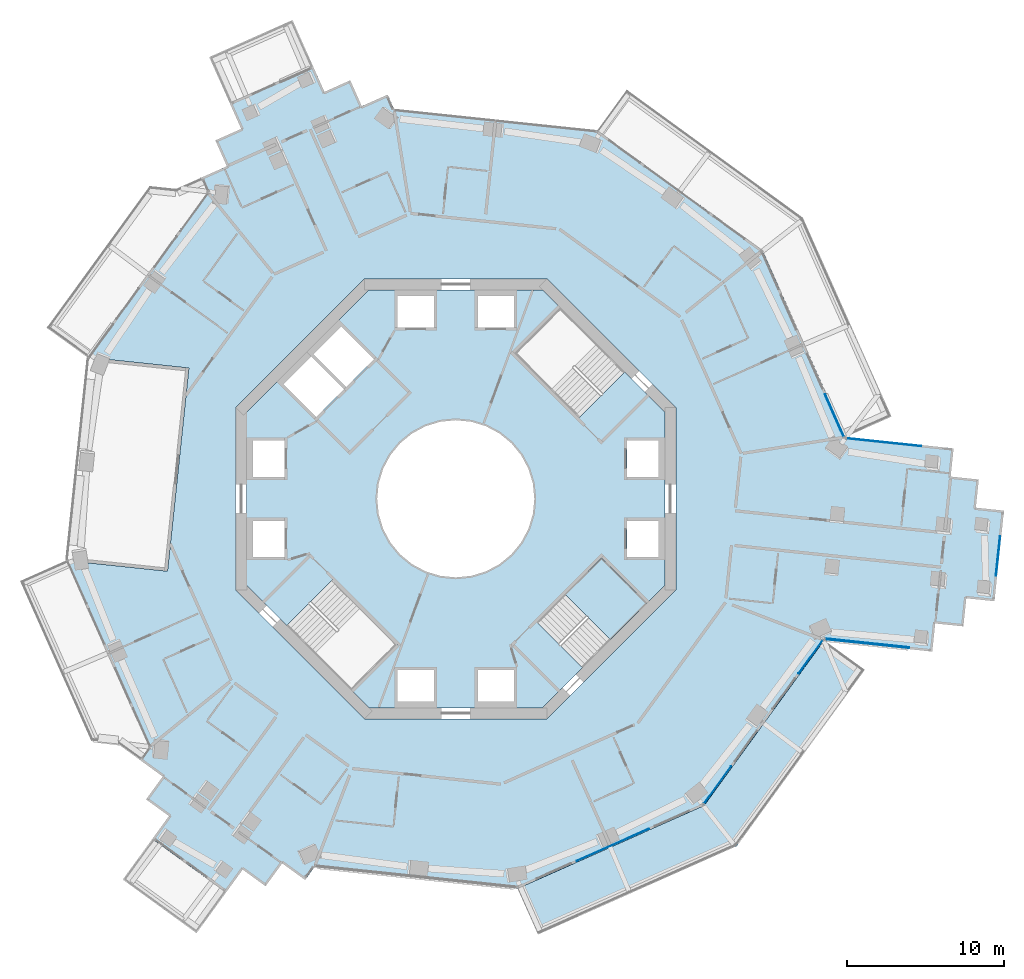
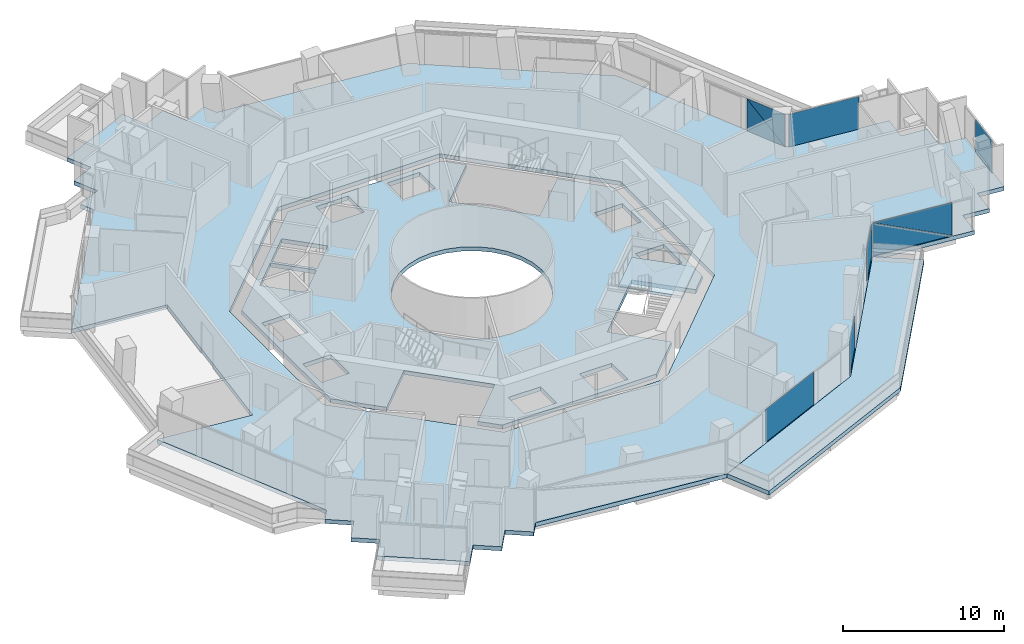
# One storey, part 12 of 23: 9 plates, 4 slabs, 7 elements without a shape of their own.
"""IFC4 building model written with IfcOpenShell, lengths in metres."""

from ifc_helpers import new_model, si_unit, direction, frame, origin, origin_2d, place, context, subcontext, project, spatial, polyline, rectangle, outline, extrude, material, layer, layer_set, type_object, element, aggregate, save


model = new_model("IFC4")

# Units and contexts
model_context = context("Model", 3, precision=1e-05, world=origin(), true_north=direction((0.0, 1.0)))
body_context = subcontext(model_context, "Body", "Model", "MODEL_VIEW")
ifc_project = project(units=[si_unit("LENGTHUNIT", "METRE"), si_unit("AREAUNIT", "SQUARE_METRE"), si_unit("VOLUMEUNIT", "CUBIC_METRE"), si_unit("PLANEANGLEUNIT", "RADIAN"), si_unit("MASSUNIT", "GRAM", prefix="KILO")], contexts=[model_context])

# Site, building, storey
site_placement = place(None, origin())
site = spatial("IfcSite", under=ifc_project, at=site_placement, CompositionType="ELEMENT")
building_placement = place(site_placement, origin())
building = spatial("IfcBuilding", under=site, at=building_placement, Name="Verdalira Terraces Hotel", CompositionType="ELEMENT")
storey_placement = place(building_placement, frame((0.0, 0.0, 133.0)))
storey = spatial("IfcBuildingStorey", under=building, at=storey_placement, Name="L31", CompositionType="ELEMENT", Elevation=133.0)

# Slab
ifc_material_1 = material(Name="Precast concrete C40/50", Category="concrete")
ifc_layer_1 = layer(ifc_material_1, 0.31005859375)
ifc_layer_set_1 = layer_set([ifc_layer_1], Name="Balcony deck 310")
slab_type_1 = type_object("IfcSlabType", Name="Balcony deck 310", PredefinedType="FLOOR", material=ifc_layer_set_1)
slab_1_placement = place(storey_placement, frame((0.0, 0.0, -0.310059)))
element("IfcSlab", 1, at=slab_1_placement, inside=storey, type_object=slab_type_1, Name="Balcony deck", PredefinedType="FLOOR", context=body_context, shape_type="SweptSolid", body=[
    extrude(outline(polyline([(26.034912, -10.881104), (23.446045, -9.0), (15.804688, -19.517334), (3.928711, -24.804932), (5.230225, -27.728271), (17.889648, -22.091797), (26.034912, -10.881104)])), origin(), (0.0, 0.0, 1.0), 0.310059),
])

# Curtain wall, plate
ifc_material_2 = material(Name="Clear glass", Category="glass")
ifc_layer_2 = layer(ifc_material_2, 0.14990234375)
ifc_layer_set_2 = layer_set([ifc_layer_2], Name="CW1 curtain wall")
curtain_wall_type_1 = type_object("IfcCurtainWallType", Name="CW1 curtain wall", PredefinedType="NOTDEFINED", material=ifc_layer_set_2)
curtain_wall_1_placement = place(storey_placement, origin())
curtain_wall_1 = element("IfcCurtainWall", 2, at=curtain_wall_1_placement, inside=storey, type_object=curtain_wall_type_1, Name="CW1 curtain wall L31 edge 26", PredefinedType="NOTDEFINED")
ifc_material_3 = material(Name="Clear glass", Category="glass")
ifc_layer_3 = layer(ifc_material_3, 0.028076171875)
ifc_layer_set_3 = layer_set([ifc_layer_3], Name="CW1 glass unit 28")
plate_type_1 = type_object("IfcPlateType", Name="CW1 glass unit 28", PredefinedType="CURTAIN_PANEL", material=ifc_layer_set_3)
plate_1_placement = place(storey_placement, frame((9.999512, -22.019775, 0.0), z_axis=(0.0, 0.0, 1.0), x_axis=(0.913545458, 0.406736643, 0.0)))
plate_1 = element("IfcPlate", 3, at=plate_1_placement, type_object=plate_type_1, Name="CW1 glass unit", PredefinedType="CURTAIN_PANEL", context=body_context, shape_type="SweptSolid", body=[
    extrude(rectangle(XDim=5.021729, YDim=0.028076, at=origin_2d()), origin(), (0.0, 0.0, 1.0), 2.475098),
])
aggregate(curtain_wall_1, [plate_1])

# Curtain wall, plates
curtain_wall_2_placement = place(storey_placement, origin())
curtain_wall_2 = element("IfcCurtainWall", 4, at=curtain_wall_2_placement, inside=storey, type_object=curtain_wall_type_1, Name="CW1 curtain wall L31 edge 27", PredefinedType="NOTDEFINED")
plate_2_placement = place(storey_placement, frame((16.662598, -18.208984, 0.0), z_axis=(0.0, 0.0, 1.0), x_axis=(0.587785252, 0.809016994, 0.0)))
plate_2 = element("IfcPlate", 5, at=plate_2_placement, type_object=plate_type_1, Name="CW1 glass unit", PredefinedType="CURTAIN_PANEL", context=body_context, shape_type="SweptSolid", body=[
    extrude(rectangle(XDim=2.924805, YDim=0.028076, at=origin_2d()), origin(), (0.0, 0.0, 1.0), 2.475098),
])
plate_3_placement = place(storey_placement, frame((22.584717, -10.058105, 0.0), z_axis=(0.0, 0.0, 1.0), x_axis=(0.587785252, 0.809016994, 0.0)))
plate_3 = element("IfcPlate", 6, at=plate_3_placement, type_object=plate_type_1, Name="CW1 glass unit", PredefinedType="CURTAIN_PANEL", context=body_context, shape_type="SweptSolid", body=[
    extrude(rectangle(XDim=2.604492, YDim=0.028076, at=origin_2d()), origin(), (0.0, 0.0, 1.0), 2.475098),
])
aggregate(curtain_wall_2, [plate_2, plate_3])

curtain_wall_3_placement = place(storey_placement, origin())
curtain_wall_3 = element("IfcCurtainWall", 7, at=curtain_wall_3_placement, inside=storey, type_object=curtain_wall_type_1, Name="CW1 curtain wall L31 edge 39", PredefinedType="NOTDEFINED")
plate_4_placement = place(storey_placement, frame((24.095947, 5.301758, 1.237549), z_axis=(0.913545458, 0.406736643, 0.0), x_axis=(-0.406736643, 0.913545458, 0.0)))
plate_4 = element("IfcPlate", 8, at=plate_4_placement, type_object=plate_type_1, Name="CW1 glass unit", PredefinedType="CURTAIN_PANEL", context=body_context, shape_type="SweptSolid", body=[
    extrude(outline(polyline([(-1.482422, -1.237549), (1.482422, -1.237549), (1.482422, 1.237549), (-1.482422, -1.237549)])), origin(), (0.0, 0.0, 1.0), 0.028076),
])
plate_5_placement = place(storey_placement, frame((24.06958, 5.289795, 1.237549), z_axis=(0.913545458, 0.406736643, 0.0), x_axis=(-0.406736643, 0.913545458, 0.0)))
plate_5 = element("IfcPlate", 9, at=plate_5_placement, type_object=plate_type_1, Name="CW1 glass unit", PredefinedType="CURTAIN_PANEL", context=body_context, shape_type="SweptSolid", body=[
    extrude(outline(polyline([(-1.482422, -1.237549), (1.482422, 1.237549), (-1.482422, 1.237549), (-1.482422, -1.237549)])), origin(), (0.0, 0.0, 1.0), 0.028076),
])
aggregate(curtain_wall_3, [plate_4, plate_5])

ifc_material_4 = material(Name="Clear glass", Category="glass")
ifc_layer_4 = layer(ifc_material_4, 0.14990234375)
ifc_layer_set_4 = layer_set([ifc_layer_4], Name="CW2 curtain wall")
curtain_wall_type_2 = type_object("IfcCurtainWallType", Name="CW2 curtain wall", PredefinedType="NOTDEFINED", material=ifc_layer_set_4)
curtain_wall_4_placement = place(storey_placement, origin())
curtain_wall_4 = element("IfcCurtainWall", 10, at=curtain_wall_4_placement, inside=storey, type_object=curtain_wall_type_2, Name="CW2 curtain wall L31 edge 28", PredefinedType="NOTDEFINED")
ifc_material_5 = material(Name="Clear glass", Category="glass")
ifc_layer_5 = layer(ifc_material_5, 0.031982421875)
ifc_layer_set_5 = layer_set([ifc_layer_5], Name="CW2 glass unit 32")
plate_type_2 = type_object("IfcPlateType", Name="CW2 glass unit 32", PredefinedType="CURTAIN_PANEL", material=ifc_layer_set_5)
plate_6_placement = place(storey_placement, frame((26.189453, -9.197021, 1.237549), z_axis=(-0.104528463, -0.994521895, 0.0), x_axis=(0.994521895, -0.104528463, 0.0)))
plate_6 = element("IfcPlate", 11, at=plate_6_placement, type_object=plate_type_2, Name="CW2 glass unit", PredefinedType="CURTAIN_PANEL", context=body_context, shape_type="SweptSolid", body=[
    extrude(outline(polyline([(-2.678955, -1.237549), (2.678955, -1.237549), (-2.678955, 1.237549), (-2.678955, -1.237549)])), origin(), (0.0, 0.0, 1.0), 0.031982),
])
plate_7_placement = place(storey_placement, frame((26.192871, -9.164307, 1.237549), z_axis=(-0.104528463, -0.994521895, 0.0), x_axis=(0.994521895, -0.104528463, 0.0)))
plate_7 = element("IfcPlate", 12, at=plate_7_placement, type_object=plate_type_2, Name="CW2 glass unit", PredefinedType="CURTAIN_PANEL", context=body_context, shape_type="SweptSolid", body=[
    extrude(outline(polyline([(2.678955, -1.237549), (2.678955, 1.237549), (-2.678955, 1.237549), (2.678955, -1.237549)])), origin(), (0.0, 0.0, 1.0), 0.031982),
])
aggregate(curtain_wall_4, [plate_6, plate_7])

# Curtain wall, plate
curtain_wall_5_placement = place(storey_placement, origin())
curtain_wall_5 = element("IfcCurtainWall", 13, at=curtain_wall_5_placement, inside=storey, type_object=curtain_wall_type_2, Name="CW2 curtain wall L31 edge 38", PredefinedType="NOTDEFINED")
plate_8_placement = place(storey_placement, frame((27.237305, 3.597656, 0.0), z_axis=(0.0, 0.0, 1.0), x_axis=(-0.994521895, 0.104528463, 0.0)))
plate_8 = element("IfcPlate", 14, at=plate_8_placement, type_object=plate_type_2, Name="CW2 glass unit", PredefinedType="CURTAIN_PANEL", context=body_context, shape_type="SweptSolid", body=[
    extrude(rectangle(XDim=4.767578, YDim=0.031982, at=origin_2d()), origin(), (0.0, 0.0, 1.0), 2.475098),
])
aggregate(curtain_wall_5, [plate_8])

ifc_material_6 = material(Name="Clear glass", Category="glass")
ifc_layer_6 = layer(ifc_material_6, 0.14990234375)
ifc_layer_set_6 = layer_set([ifc_layer_6], Name="CW3 curtain wall")
curtain_wall_type_3 = type_object("IfcCurtainWallType", Name="CW3 curtain wall", PredefinedType="NOTDEFINED", material=ifc_layer_set_6)
curtain_wall_6_placement = place(storey_placement, origin())
curtain_wall_6 = element("IfcCurtainWall", 15, at=curtain_wall_6_placement, inside=storey, type_object=curtain_wall_type_3, Name="CW3 curtain wall L31 edge 33", PredefinedType="NOTDEFINED")
ifc_material_7 = material(Name="Clear glass", Category="glass")
ifc_layer_7 = layer(ifc_material_7, 0.035888671875)
ifc_layer_set_7 = layer_set([ifc_layer_7], Name="CW3 glass unit 36")
plate_type_3 = type_object("IfcPlateType", Name="CW3 glass unit 36", PredefinedType="CURTAIN_PANEL", material=ifc_layer_set_7)
plate_9_placement = place(storey_placement, frame((34.505371, -3.639404, 0.0), z_axis=(0.0, 0.0, 1.0), x_axis=(0.104528463, 0.994521895, 0.0)))
plate_9 = element("IfcPlate", 16, at=plate_9_placement, type_object=plate_type_3, Name="CW3 glass unit", PredefinedType="CURTAIN_PANEL", context=body_context, shape_type="SweptSolid", body=[
    extrude(rectangle(XDim=2.54541, YDim=0.035889, at=origin_2d()), origin(), (0.0, 0.0, 1.0), 2.475098),
])
aggregate(curtain_wall_6, [plate_9])

# Slab
ifc_material_8 = material(Name="Concrete C40", Category="concrete")
ifc_layer_8 = layer(ifc_material_8, 0.31005859375)
ifc_layer_set_8 = layer_set([ifc_layer_8], Name="Core floor slab 310 mm")
slab_type_2 = type_object("IfcSlabType", Name="Core floor slab 310 mm", PredefinedType="FLOOR", material=ifc_layer_set_8)
slab_2_placement = place(storey_placement, frame((0.0, 0.0, -0.310059)))
element("IfcSlab", 17, at=slab_2_placement, inside=storey, type_object=slab_type_2, Name="L31 core floor", PredefinedType="FLOOR", context=body_context, shape_type="SweptSolid", body=[
    extrude(outline(polyline([(-5.509033, 13.300049), (5.509033, 13.300049), (6.632812, 12.176514), (3.719482, 9.263184), (7.834473, 5.148193), (10.747803, 8.061279), (13.300049, 5.509033), (13.300049, -5.509033), (12.176514, -6.632812), (9.263184, -3.719482), (5.148193, -7.834473), (8.061279, -10.747803), (5.509033, -13.300049), (-5.509033, -13.300049), (-6.632812, -12.176514), (-3.719482, -9.263184), (-7.834473, -5.148193), (-10.747803, -8.061279), (-13.300049, -5.509033), (-13.300049, 5.509033), (-5.509033, 13.300049)]), holes=[polyline([(12.899902, -3.699951), (12.899902, -1.399902), (10.899902, -1.399902), (10.899902, -3.699951), (12.899902, -3.699951)]), polyline([(12.899902, 1.399902), (12.899902, 3.699951), (10.899902, 3.699951), (10.899902, 1.399902), (12.899902, 1.399902)]), polyline([(1.399902, 10.899902), (3.699951, 10.899902), (3.699951, 12.899902), (1.399902, 12.899902), (1.399902, 10.899902)]), polyline([(-3.699951, 10.899902), (-1.399902, 10.899902), (-1.399902, 12.899902), (-3.699951, 12.899902), (-3.699951, 10.899902)]), polyline([(-12.899902, 3.699951), (-12.899902, 1.399902), (-10.899902, 1.399902), (-10.899902, 3.699951), (-12.899902, 3.699951)]), polyline([(-12.899902, -1.399902), (-12.899902, -3.699951), (-10.899902, -3.699951), (-10.899902, -1.399902), (-12.899902, -1.399902)]), polyline([(-1.399902, -10.899902), (-3.699951, -10.899902), (-3.699951, -12.899902), (-1.399902, -12.899902), (-1.399902, -10.899902)]), polyline([(3.699951, -10.899902), (1.399902, -10.899902), (1.399902, -12.899902), (3.699951, -12.899902), (3.699951, -10.899902)]), polyline([(-9.051025, 9.192383), (-6.965088, 7.106445), (-5.197266, 8.874268), (-7.283203, 10.960205), (-9.051025, 9.192383)]), polyline([(-9.192383, 9.051025), (-10.960205, 7.283203), (-8.874268, 5.197266), (-7.106445, 6.965088), (-9.192383, 9.051025)]), polyline([(3.5354, 3.5354), (2.777832, 4.157227), (1.91333, 4.619385), (0.975586, 4.903809), (0.0, 5.0), (-0.975586, 4.903809), (-1.91333, 4.619385), (-2.777832, 4.157227), (-3.5354, 3.5354), (-4.157227, 2.777832), (-4.619385, 1.91333), (-4.903809, 0.975586), (-5.0, 0.0), (-4.903809, -0.975586), (-4.619385, -1.91333), (-4.157227, -2.777832), (-3.5354, -3.5354), (-2.777832, -4.157227), (-1.91333, -4.619385), (-0.975586, -4.903809), (0.0, -5.0), (0.975586, -4.903809), (1.91333, -4.619385), (2.777832, -4.157227), (3.5354, -3.5354), (4.157227, -2.777832), (4.619385, -1.91333), (4.903809, -0.975586), (5.0, 0.0), (4.903809, 0.975586), (4.619385, 1.91333), (4.157227, 2.777832), (3.5354, 3.5354)])]), origin(), (0.0, 0.0, 1.0), 0.310059),
])

# Stair, slab
ifc_material_9 = material(Name="Concrete C40", Category="concrete")
stair_type = type_object("IfcStairType", Name="Core stair 20 risers 2000 mm wide", PredefinedType="HALF_TURN_STAIR", material=ifc_material_9)
stair_placement = place(storey_placement, origin())
stair = element("IfcStair", 18, at=stair_placement, inside=storey, type_object=stair_type, Name="L31 Exit stair ST3", PredefinedType="HALF_TURN_STAIR")
ifc_material_10 = material(Name="Concrete C40", Category="concrete")
ifc_layer_9 = layer(ifc_material_10, 0.199951171875)
ifc_layer_set_9 = layer_set([ifc_layer_9], Name="Core stair landing 200 mm")
slab_type_3 = type_object("IfcSlabType", Name="Core stair landing 200 mm", PredefinedType="LANDING", material=ifc_layer_set_9)
slab_3_placement = place(storey_placement, frame((0.0, 0.0, 1.550049)))
slab_3 = element("IfcSlab", 19, at=slab_3_placement, type_object=slab_type_3, Name="ST3 landing 1", PredefinedType="LANDING", context=body_context, shape_type="SweptSolid", body=[
    extrude(outline(polyline([(9.842529, -8.966553), (12.162354, -6.646729), (9.263184, -3.747559), (6.943359, -6.067383), (9.842529, -8.966553)])), origin(), (0.0, 0.0, 1.0), 0.199951),
])
aggregate(stair, [slab_3])

# Slab
ifc_material_11 = material(Name="Concrete C40", Category="concrete")
ifc_layer_10 = layer(ifc_material_11, 0.31005859375)
ifc_layer_set_10 = layer_set([ifc_layer_10], Name="Floor slab 310 C40")
slab_type_4 = type_object("IfcSlabType", Name="Floor slab 310 C40", PredefinedType="FLOOR", material=ifc_layer_set_10)
slab_4_placement = place(storey_placement, frame((0.0, 0.0, -0.310059)))
element("IfcSlab", 20, at=slab_4_placement, inside=storey, type_object=slab_type_4, Name="Floor slab L31", PredefinedType="FLOOR", context=body_context, shape_type="SweptSolid", body=[
    extrude(outline(polyline([(-16.211426, 20.430908), (-15.804688, 19.517334), (-23.445801, 9.000488), (-16.981201, 8.321045), (-18.340088, -4.608643), (-24.804688, -3.929199), (-19.517334, -15.804688), (-20.10498, -16.61377), (-18.648926, -17.671875), (-19.706787, -19.128174), (-18.250488, -20.186035), (-19.308594, -21.642334), (-14.616455, -25.051514), (-13.55835, -23.595215), (-12.102051, -24.65332), (-11.044189, -23.197021), (-9.587891, -24.254883), (-9.0, -23.446045), (3.928711, -24.804932), (15.804688, -19.517334), (23.446045, -9.0), (30.321533, -9.722656), (30.509766, -7.932617), (32.299805, -8.120605), (32.488037, -6.330566), (34.278076, -6.518799), (34.884521, -0.750488), (33.094238, -0.5625), (33.282471, 1.227783), (31.492188, 1.416016), (31.68042, 3.206055), (24.804932, 3.928711), (19.517334, 15.804688), (9.0, 23.446045), (-3.928711, 24.804932), (-4.335449, 25.718506), (-5.979736, 24.986328), (-6.711914, 26.630615), (-8.356201, 25.898682), (-9.088379, 27.542969), (-14.386963, 25.183838), (-13.654785, 23.539551), (-15.299316, 22.807373), (-14.567139, 21.163086), (-16.211426, 20.430908)]), holes=[polyline([(5.799072, 14.0), (14.0, 5.799072), (14.0, -5.799072), (5.799072, -14.0), (-5.799072, -14.0), (-14.0, -5.799072), (-14.0, 5.799072), (-5.799072, 14.0), (5.799072, 14.0)])]), origin(), (0.0, 0.0, 1.0), 0.310059),
])

save(model, "model.ifc")
